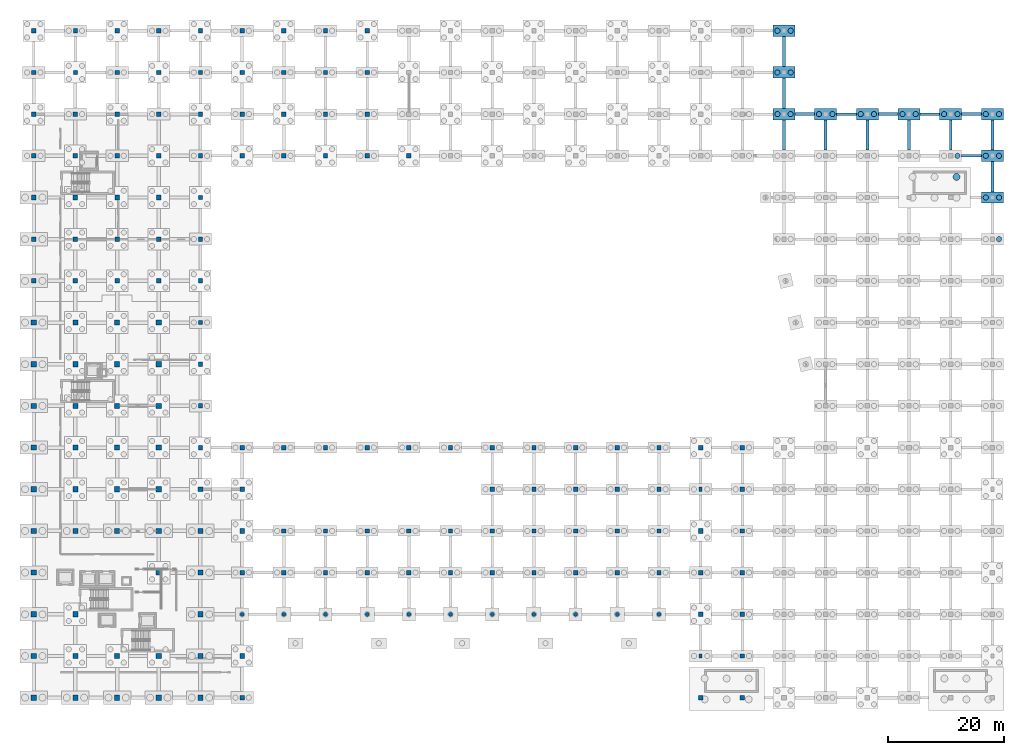
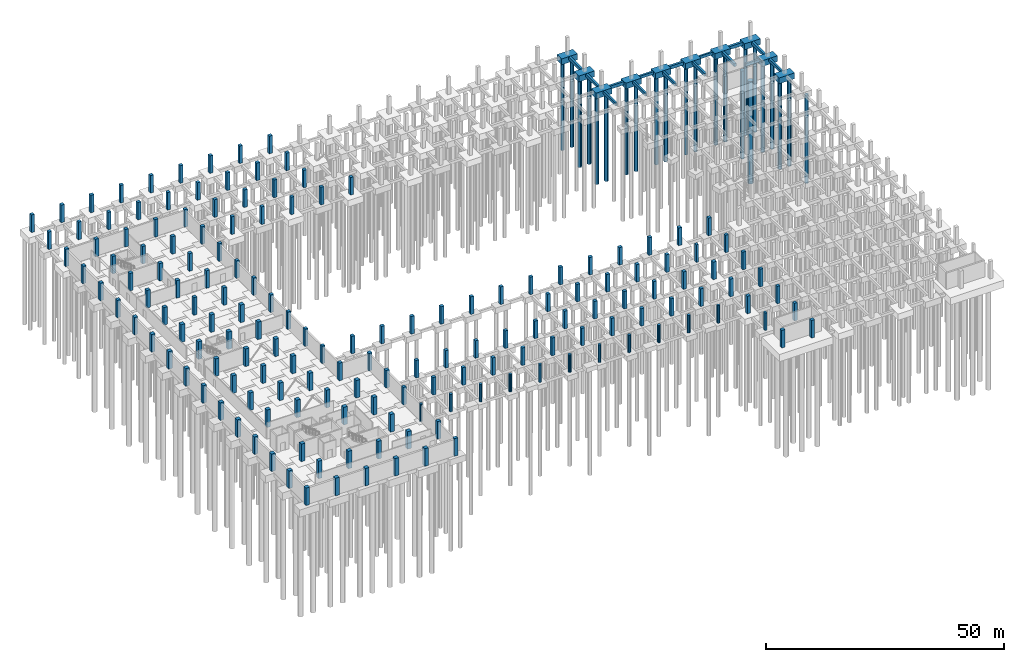
# One storey, part 14 of 36: 164 columns, 25 footings, 23 piles.
"""IFC4 building model written with IfcOpenShell, lengths in metres."""

from ifc_helpers import new_model, si_unit, direction, frame, origin, origin_2d, place, context, subcontext, project, spatial, rectangle, circle, extrude, material, material_profile, profile_set, type_object, element, save


model = new_model("IFC4")

# Units and contexts
model_context = context("Model", 3, precision=1e-05, world=origin(), true_north=direction((0.0, 1.0)))
body_context = subcontext(model_context, "Body", "Model", "MODEL_VIEW")
ifc_project = project(units=[si_unit("LENGTHUNIT", "METRE"), si_unit("AREAUNIT", "SQUARE_METRE"), si_unit("VOLUMEUNIT", "CUBIC_METRE"), si_unit("PLANEANGLEUNIT", "RADIAN"), si_unit("MASSUNIT", "GRAM", prefix="KILO")], contexts=[model_context])

# Site, building, storey
site_placement = place(None, origin())
site = spatial("IfcSite", under=ifc_project, at=site_placement, CompositionType="ELEMENT")
building_placement = place(site_placement, origin())
building = spatial("IfcBuilding", under=site, at=building_placement, Name="Kalmorath City Hall", CompositionType="ELEMENT")
storey_placement = place(building_placement, frame((0.0, 0.0, -4.5)))
storey = spatial("IfcBuildingStorey", under=building, at=storey_placement, Name="B1", CompositionType="ELEMENT", Elevation=-4.5)

# Piles
ifc_material_1 = material(Name="Concrete C40/50", Category="concrete")
ifc_material_profile_1 = material_profile(ifc_material_1, circle(Radius=0.60009765625, at=origin_2d()), Name="PILE-D1200")
ifc_profile_set_1 = profile_set([ifc_material_profile_1], Name="Concrete C40/50")
pile_type_1 = type_object("IfcPileType", Name="Bored concrete pile D1200", PredefinedType="BORED", material=ifc_profile_set_1)
pile_placement = place(storey_placement, frame((159.39990234375, 89.949951171875, -1.75), z_axis=(0.0, 0.0, -1.0), x_axis=(1.0, 0.0, 0.0)))
element("IfcPile", 1, at=pile_placement, inside=storey, type_object=pile_type_1, Name="Core mat bored pile PL-1200 FTG-CMAT-C6.6", PredefinedType="BORED", context=body_context, shape_type="SweptSolid", body=[
    extrude(circle(Radius=0.60009765625, at=origin_2d()), origin(), (0.0, 0.0, 1.0), 26.25),
])
ifc_material_2 = material(Name="Concrete C40/50", Category="concrete")
ifc_material_profile_2 = material_profile(ifc_material_2, circle(Radius=0.449951171875, at=origin_2d()), Name="PILE-D900")
ifc_profile_set_2 = profile_set([ifc_material_profile_2], Name="Concrete C40/50")
pile_type_2 = type_object("IfcPileType", Name="Bored concrete pile D900", PredefinedType="BORED", material=ifc_profile_set_2)
for number, where, z_axis, x_axis, name in (
    (2, (128.449951171875, 100.800048828125, -1.39990234375), (0.0, 0.0, -1.0), (1.0, 0.0, 0.0), "Bored pile PL-900 19.15.1"),
    (3, (130.75, 100.800048828125, -1.39990234375), (0.0, 0.0, -1.0), (1.0, 0.0, 0.0), "Bored pile PL-900 19.15.2"),
    (4, (128.449951171875, 108.0, -1.39990234375), (0.0, 0.0, -1.0), (1.0, 0.0, 0.0), "Bored pile PL-900 19.16.1"),
    (5, (130.75, 108.0, -1.39990234375), (0.0, 0.0, -1.0), (1.0, 0.0, 0.0), "Bored pile PL-900 19.16.2"),
    (6, (128.449951171875, 115.199951171875, -1.39990234375), (0.0, 0.0, -1.0), (1.0, 0.0, 0.0), "Bored pile PL-900 19.17.1"),
    (7, (130.75, 115.199951171875, -1.39990234375), (0.0, 0.0, -1.0), (1.0, 0.0, 0.0), "Bored pile PL-900 19.17.2"),
    (8, (135.64990234375, 100.800048828125, -1.39990234375), (0.0, 0.0, -1.0), (1.0, 0.0, 0.0), "Bored pile PL-900 20.15.1"),
    (9, (137.949951171875, 100.800048828125, -1.39990234375), (0.0, 0.0, -1.0), (1.0, 0.0, 0.0), "Bored pile PL-900 20.15.2"),
    (10, (142.85009765625, 100.800048828125, -1.39990234375), (0.0, 0.0, -1.0), (1.0, 0.0, 0.0), "Bored pile PL-900 21.15.1"),
    (11, (145.14990234375, 100.800048828125, -1.39990234375), (0.0, 0.0, -1.0), (1.0, 0.0, 0.0), "Bored pile PL-900 21.15.2"),
    (12, (150.050048828125, 100.800048828125, -1.39990234375), (0.0, 0.0, -1.0), (1.0, 0.0, 0.0), "Bored pile PL-900 22.15.1"),
    (13, (152.35009765625, 100.800048828125, -1.39990234375), (0.0, 0.0, -1.0), (1.0, 0.0, 0.0), "Bored pile PL-900 22.15.2"),
    (14, (159.550048828125, 93.60009765625, -1.39990234375), (0.0, 0.0, -1.0), (1.0, 0.0, 0.0), "Bored pile PL-900 23.14.2"),
    (15, (157.25, 100.800048828125, -1.39990234375), (0.0, 0.0, -1.0), (1.0, 0.0, 0.0), "Bored pile PL-900 23.15.1"),
    (16, (159.550048828125, 100.800048828125, -1.39990234375), (0.0, 0.0, -1.0), (1.0, 0.0, 0.0), "Bored pile PL-900 23.15.2"),
    (17, (166.75, 79.199951171875, -1.39990234375), (0.0, 0.0, -1.0), (1.0, 0.0, 0.0), "Bored pile PL-900 24.12.2"),
    (18, (164.449951171875, 86.39990234375, -1.39990234375), (0.0, 0.0, -1.0), (1.0, 0.0, 0.0), "Bored pile PL-900 24.13.1"),
    (19, (166.75, 86.39990234375, -1.39990234375), (0.0, 0.0, -1.0), (1.0, 0.0, 0.0), "Bored pile PL-900 24.13.2"),
    (20, (164.449951171875, 93.60009765625, -1.39990234375), (0.0, 0.0, -1.0), (1.0, 0.0, 0.0), "Bored pile PL-900 24.14.1"),
    (21, (166.75, 93.60009765625, -1.39990234375), (0.0, 0.0, -1.0), (1.0, 0.0, 0.0), "Bored pile PL-900 24.14.2"),
    (22, (164.449951171875, 100.800048828125, -1.39990234375), (0.0, 0.0, -1.0), (1.0, 0.0, 0.0), "Bored pile PL-900 24.15.1"),
    (23, (166.75, 100.800048828125, -1.39990234375), (0.0, 0.0, -1.0), (1.0, 0.0, 0.0), "Bored pile PL-900 24.15.2"),
):
    element("IfcPile", number, at=place(storey_placement, frame(where, z_axis=z_axis, x_axis=x_axis)), inside=storey, type_object=pile_type_2, Name=name, PredefinedType="BORED", context=body_context, shape_type="SweptSolid", body=[
        extrude(circle(Radius=0.449951171875, at=origin_2d()), origin(), (0.0, 0.0, 1.0), 22.60009765625),
    ])

# Footings
ifc_material_3 = material(Name="Concrete C40/50", Category="concrete")
ifc_material_profile_3 = material_profile(ifc_material_3, rectangle(XDim=0.449951171875, YDim=0.699951171875, at=origin_2d()), Name="RC-BM-450X700")
ifc_profile_set_3 = profile_set([ifc_material_profile_3], Name="Concrete C40/50")
footing_type_1 = type_object("IfcFootingType", Name="Concrete ground tie beam 450x700", PredefinedType="FOOTING_BEAM", material=ifc_profile_set_3)
footing_1_placement = place(storey_placement, frame((138.699951171875, 100.800048828125, -0.35009765625), z_axis=(1.0, 0.0, 0.0), x_axis=(0.0, 1.0, 0.0)))
element("IfcFooting", 24, at=footing_1_placement, inside=storey, type_object=footing_type_1, Name="Ground tie beam GB4 X20-15", PredefinedType="FOOTING_BEAM", context=body_context, shape_type="SweptSolid", body=[
    extrude(rectangle(XDim=0.449951171875, YDim=0.699951171875, at=origin_2d()), origin(), (0.0, 0.0, 1.0), 3.400146484375),
])
for number, where, z_axis, x_axis, name in (
    (25, (153.10009765625, 100.800048828125, -0.35009765625), (1.0, 0.0, 0.0), (0.0, 1.0, 0.0), "Ground tie beam GB4 X22-15"),
    (26, (160.300048828125, 93.60009765625, -0.35009765625), (1.0, 0.0, 0.0), (0.0, 1.0, 0.0), "Ground tie beam GB4 X23-14"),
):
    element("IfcFooting", number, at=place(storey_placement, frame(where, z_axis=z_axis, x_axis=x_axis)), inside=storey, type_object=footing_type_1, Name=name, PredefinedType="FOOTING_BEAM", context=body_context, shape_type="SweptSolid", body=[
        extrude(rectangle(XDim=0.449951171875, YDim=0.699951171875, at=origin_2d()), origin(), (0.0, 0.0, 1.0), 3.39990234375),
    ])
ifc_material_4 = material(Name="Concrete C40/50", Category="concrete")
ifc_material_profile_4 = material_profile(ifc_material_4, rectangle(XDim=0.5, YDim=0.75, at=origin_2d()), Name="RC-BM-500X750")
ifc_profile_set_4 = profile_set([ifc_material_profile_4], Name="Concrete C40/50")
footing_type_2 = type_object("IfcFootingType", Name="Concrete ground tie beam 500x750", PredefinedType="FOOTING_BEAM", material=ifc_profile_set_4)
for number, where, z_axis, x_axis, name in (
    (27, (129.60009765625, 94.590087890625, -0.375), (0.0, 1.0, 0.0), (-1.0, 0.0, 0.0), "Ground tie beam GB3 Y19-14"),
    (28, (129.60009765625, 101.7900390625, -0.375), (0.0, 1.0, 0.0), (-1.0, 0.0, 0.0), "Ground tie beam GB3 Y19-15"),
    (29, (129.60009765625, 108.989990234375, -0.375), (0.0, 1.0, 0.0), (-1.0, 0.0, 0.0), "Ground tie beam GB3 Y19-16"),
    (30, (136.800048828125, 94.590087890625, -0.375), (0.0, 1.0, 0.0), (-1.0, 0.0, 0.0), "Ground tie beam GB3 Y20-14"),
    (31, (144.0, 94.590087890625, -0.375), (0.0, 1.0, 0.0), (-1.0, 0.0, 0.0), "Ground tie beam GB3 Y21-14"),
    (32, (151.199951171875, 94.590087890625, -0.375), (0.0, 1.0, 0.0), (-1.0, 0.0, 0.0), "Ground tie beam GB3 Y22-14"),
    (33, (158.39990234375, 94.590087890625, -0.375), (0.0, 1.0, 0.0), (-1.0, 0.0, 0.0), "Ground tie beam GB3 Y23-14"),
):
    element("IfcFooting", number, at=place(storey_placement, frame(where, z_axis=z_axis, x_axis=x_axis)), inside=storey, type_object=footing_type_2, Name=name, PredefinedType="FOOTING_BEAM", context=body_context, shape_type="SweptSolid", body=[
        extrude(rectangle(XDim=0.5, YDim=0.75, at=origin_2d()), origin(), (0.0, 0.0, 1.0), 5.219970703125),
    ])
footing_2_placement = place(storey_placement, frame((165.60009765625, 87.389892578125, -0.375), z_axis=(0.0, 1.0, 0.0), x_axis=(-1.0, 0.0, 0.0)))
element("IfcFooting", 34, at=footing_2_placement, inside=storey, type_object=footing_type_2, Name="Ground tie beam GB3 Y24-13", PredefinedType="FOOTING_BEAM", context=body_context, shape_type="SweptSolid", body=[
    extrude(rectangle(XDim=0.5, YDim=0.75, at=origin_2d()), origin(), (0.0, 0.0, 1.0), 5.22021484375),
])
footing_3_placement = place(storey_placement, frame((165.60009765625, 94.590087890625, -0.375), z_axis=(0.0, 1.0, 0.0), x_axis=(-1.0, 0.0, 0.0)))
element("IfcFooting", 35, at=footing_3_placement, inside=storey, type_object=footing_type_2, Name="Ground tie beam GB3 Y24-14", PredefinedType="FOOTING_BEAM", context=body_context, shape_type="SweptSolid", body=[
    extrude(rectangle(XDim=0.5, YDim=0.75, at=origin_2d()), origin(), (0.0, 0.0, 1.0), 5.219970703125),
])
ifc_material_5 = material(Name="Concrete C40/50", Category="concrete")
ifc_material_profile_5 = material_profile(ifc_material_5, rectangle(XDim=0.550048828125, YDim=0.800048828125, at=origin_2d()), Name="RC-BM-550X800")
ifc_profile_set_5 = profile_set([ifc_material_profile_5], Name="Concrete C40/50")
footing_type_3 = type_object("IfcFootingType", Name="Concrete ground tie beam 550x800", PredefinedType="FOOTING_BEAM", material=ifc_profile_set_5)
footing_4_placement = place(storey_placement, frame((131.5, 100.800048828125, -0.39990234375), z_axis=(1.0, 0.0, 0.0), x_axis=(0.0, 1.0, 0.0)))
element("IfcFooting", 36, at=footing_4_placement, inside=storey, type_object=footing_type_3, Name="Ground tie beam GB2 X19-15", PredefinedType="FOOTING_BEAM", context=body_context, shape_type="SweptSolid", body=[
    extrude(rectangle(XDim=0.550048828125, YDim=0.800048828125, at=origin_2d()), origin(), (0.0, 0.0, 1.0), 3.39990234375),
])
footing_5_placement = place(storey_placement, frame((145.89990234375, 100.800048828125, -0.39990234375), z_axis=(1.0, 0.0, 0.0), x_axis=(0.0, 1.0, 0.0)))
element("IfcFooting", 37, at=footing_5_placement, inside=storey, type_object=footing_type_3, Name="Ground tie beam GB2 X21-15", PredefinedType="FOOTING_BEAM", context=body_context, shape_type="SweptSolid", body=[
    extrude(rectangle(XDim=0.550048828125, YDim=0.800048828125, at=origin_2d()), origin(), (0.0, 0.0, 1.0), 3.400146484375),
])
footing_6_placement = place(storey_placement, frame((160.300048828125, 100.800048828125, -0.39990234375), z_axis=(1.0, 0.0, 0.0), x_axis=(0.0, 1.0, 0.0)))
element("IfcFooting", 38, at=footing_6_placement, inside=storey, type_object=footing_type_3, Name="Ground tie beam GB2 X23-15", PredefinedType="FOOTING_BEAM", context=body_context, shape_type="SweptSolid", body=[
    extrude(rectangle(XDim=0.550048828125, YDim=0.800048828125, at=origin_2d()), origin(), (0.0, 0.0, 1.0), 3.39990234375),
])
ifc_material_6 = material(Name="Concrete C40/50", Category="concrete")
footing_type_4 = type_object("IfcFootingType", Name="Two-pile concrete cap 3800x1980x1500", PredefinedType="PILE_CAP", material=ifc_material_6)
for number, where, z_axis, x_axis, name in (
    (39, (129.60009765625, 100.800048828125, -1.5), (0.0, 0.0, 1.0), (1.0, 0.0, 0.0), "Footing PC7 (19/15)"),
    (40, (129.60009765625, 108.0, -1.5), (0.0, 0.0, 1.0), (1.0, 0.0, 0.0), "Footing PC7 (19/16)"),
    (41, (129.60009765625, 115.199951171875, -1.5), (0.0, 0.0, 1.0), (1.0, 0.0, 0.0), "Footing PC7 (19/17)"),
    (42, (136.800048828125, 100.800048828125, -1.5), (0.0, 0.0, 1.0), (1.0, 0.0, 0.0), "Footing PC7 (20/15)"),
    (43, (144.0, 100.800048828125, -1.5), (0.0, 0.0, 1.0), (1.0, 0.0, 0.0), "Footing PC7 (21/15)"),
    (44, (151.199951171875, 100.800048828125, -1.5), (0.0, 0.0, 1.0), (1.0, 0.0, 0.0), "Footing PC7 (22/15)"),
    (45, (158.39990234375, 100.800048828125, -1.5), (0.0, 0.0, 1.0), (1.0, 0.0, 0.0), "Footing PC7 (23/15)"),
    (46, (165.60009765625, 86.39990234375, -1.5), (0.0, 0.0, 1.0), (1.0, 0.0, 0.0), "Footing PC7 (24/13)"),
    (47, (165.60009765625, 93.60009765625, -1.5), (0.0, 0.0, 1.0), (1.0, 0.0, 0.0), "Footing PC7 (24/14)"),
    (48, (165.60009765625, 100.800048828125, -1.5), (0.0, 0.0, 1.0), (1.0, 0.0, 0.0), "Footing PC7 (24/15)"),
):
    element("IfcFooting", number, at=place(storey_placement, frame(where, z_axis=z_axis, x_axis=x_axis)), inside=storey, type_object=footing_type_4, Name=name, PredefinedType="PILE_CAP", context=body_context, shape_type="SweptSolid", body=[
        extrude(rectangle(XDim=3.800048828125, YDim=1.97998046875, at=origin_2d()), origin(), (0.0, 0.0, 1.0), 1.5),
    ])

# Columns
ifc_material_7 = material(Name="Concrete C50/60", Category="concrete")
ifc_material_profile_6 = material_profile(ifc_material_7, circle(Radius=0.35009765625, at=origin_2d()), Name="RC-COL-D700")
ifc_profile_set_6 = profile_set([ifc_material_profile_6], Name="Concrete C50/60")
column_type_1 = type_object("IfcColumnType", Name="Circular arcade concrete column D700", PredefinedType="COLUMN", material=ifc_profile_set_6)
for number, where, z_axis, x_axis, name in (
    (49, (36.0, 14.39990234375, 0.0), (0.0, 0.0, 1.0), (1.0, 0.0, 0.0), "B1 column C8 (6/3)"),
    (50, (43.199951171875, 14.39990234375, 0.0), (0.0, 0.0, 1.0), (1.0, 0.0, 0.0), "B1 column C8 (7/3)"),
    (51, (50.39990234375, 14.39990234375, 0.0), (0.0, 0.0, 1.0), (1.0, 0.0, 0.0), "B1 column C8 (8/3)"),
    (52, (57.60009765625, 14.39990234375, 0.0), (0.0, 0.0, 1.0), (1.0, 0.0, 0.0), "B1 column C8 (9/3)"),
    (53, (64.800048828125, 14.39990234375, 0.0), (0.0, 0.0, 1.0), (1.0, 0.0, 0.0), "B1 column C8 (10/3)"),
    (54, (72.0, 14.39990234375, 0.0), (0.0, 0.0, 1.0), (1.0, 0.0, 0.0), "B1 column C8 (11/3)"),
    (55, (79.199951171875, 14.39990234375, 0.0), (0.0, 0.0, 1.0), (1.0, 0.0, 0.0), "B1 column C8 (12/3)"),
    (56, (86.39990234375, 14.39990234375, 0.0), (0.0, 0.0, 1.0), (1.0, 0.0, 0.0), "B1 column C8 (13/3)"),
    (57, (93.60009765625, 14.39990234375, 0.0), (0.0, 0.0, 1.0), (1.0, 0.0, 0.0), "B1 column C8 (14/3)"),
    (58, (100.800048828125, 14.39990234375, 0.0), (0.0, 0.0, 1.0), (1.0, 0.0, 0.0), "B1 column C8 (15/3)"),
    (59, (108.0, 14.39990234375, 0.0), (0.0, 0.0, 1.0), (1.0, 0.0, 0.0), "B1 column C8 (16/3)"),
):
    element("IfcColumn", number, at=place(storey_placement, frame(where, z_axis=z_axis, x_axis=x_axis)), inside=storey, type_object=column_type_1, Name=name, PredefinedType="COLUMN", context=body_context, shape_type="SweptSolid", body=[
        extrude(circle(Radius=0.35009765625, at=origin_2d()), origin(), (0.0, 0.0, 1.0), 4.5),
    ])
ifc_material_8 = material(Name="Concrete C50/60", Category="concrete")
ifc_material_profile_7 = material_profile(ifc_material_8, rectangle(XDim=0.5, YDim=0.75, at=origin_2d()), Name="RC-PIL-500X750")
ifc_profile_set_7 = profile_set([ifc_material_profile_7], Name="Concrete C50/60")
column_type_2 = type_object("IfcColumnType", Name="Concrete acoustic wall pilaster 500x750", PredefinedType="PILASTER", material=ifc_profile_set_7)
for number, where, z_axis, x_axis, name in (
    (60, (115.199951171875, 7.199951171875, 0.0), (0.0, 0.0, 1.0), (1.0, 0.0, 0.0), "B1 column CP1 (17/2)"),
    (61, (115.199951171875, 36.0, 0.0), (0.0, 0.0, 1.0), (1.0, 0.0, 0.0), "B1 column CP1 (17/6)"),
):
    element("IfcColumn", number, at=place(storey_placement, frame(where, z_axis=z_axis, x_axis=x_axis)), inside=storey, type_object=column_type_2, Name=name, PredefinedType="PILASTER", context=body_context, shape_type="SweptSolid", body=[
        extrude(rectangle(XDim=0.5, YDim=0.75, at=origin_2d()), origin(), (0.0, 0.0, 1.0), 4.5),
    ])
ifc_material_9 = material(Name="Concrete C50/60", Category="concrete")
ifc_material_profile_8 = material_profile(ifc_material_9, rectangle(XDim=0.75, YDim=0.75, at=origin_2d()), Name="RC-COL-750X750")
ifc_profile_set_8 = profile_set([ifc_material_profile_8], Name="Concrete C50/60")
column_type_3 = type_object("IfcColumnType", Name="Concrete column 750x750", PredefinedType="COLUMN", material=ifc_profile_set_8)
for number, where, z_axis, x_axis, name in (
    (62, (0.0, 108.0, 0.0), (0.0, 0.0, 1.0), (1.0, 0.0, 0.0), "B1 column C3 (1/16)"),
    (63, (0.0, 115.199951171875, 0.0), (0.0, 0.0, 1.0), (1.0, 0.0, 0.0), "B1 column C3 (1/17)"),
    (64, (7.199951171875, 108.0, 0.0), (0.0, 0.0, 1.0), (1.0, 0.0, 0.0), "B1 column C3 (2/16)"),
    (65, (7.199951171875, 115.199951171875, 0.0), (0.0, 0.0, 1.0), (1.0, 0.0, 0.0), "B1 column C3 (2/17)"),
    (66, (14.39990234375, 108.0, 0.0), (0.0, 0.0, 1.0), (1.0, 0.0, 0.0), "B1 column C3 (3/16)"),
    (67, (14.39990234375, 115.199951171875, 0.0), (0.0, 0.0, 1.0), (1.0, 0.0, 0.0), "B1 column C3 (3/17)"),
    (68, (21.60009765625, 108.0, 0.0), (0.0, 0.0, 1.0), (1.0, 0.0, 0.0), "B1 column C3 (4/16)"),
    (69, (21.60009765625, 115.199951171875, 0.0), (0.0, 0.0, 1.0), (1.0, 0.0, 0.0), "B1 column C3 (4/17)"),
    (70, (28.800048828125, 43.199951171875, 0.0), (0.0, 0.0, 1.0), (1.0, 0.0, 0.0), "B1 column C3 (5/7)"),
    (71, (28.800048828125, 50.39990234375, 0.0), (0.0, 0.0, 1.0), (1.0, 0.0, 0.0), "B1 column C3 (5/8)"),
    (72, (28.800048828125, 57.60009765625, 0.0), (0.0, 0.0, 1.0), (1.0, 0.0, 0.0), "B1 column C3 (5/9)"),
    (73, (28.800048828125, 64.800048828125, 0.0), (0.0, 0.0, 1.0), (1.0, 0.0, 0.0), "B1 column C3 (5/10)"),
    (74, (28.800048828125, 72.0, 0.0), (0.0, 0.0, 1.0), (1.0, 0.0, 0.0), "B1 column C3 (5/11)"),
    (75, (28.800048828125, 79.199951171875, 0.0), (0.0, 0.0, 1.0), (1.0, 0.0, 0.0), "B1 column C3 (5/12)"),
    (76, (28.800048828125, 86.39990234375, 0.0), (0.0, 0.0, 1.0), (1.0, 0.0, 0.0), "B1 column C3 (5/13)"),
    (77, (28.800048828125, 93.60009765625, 0.0), (0.0, 0.0, 1.0), (1.0, 0.0, 0.0), "B1 column C3 (5/14)"),
    (78, (28.800048828125, 100.800048828125, 0.0), (0.0, 0.0, 1.0), (1.0, 0.0, 0.0), "B1 column C3 (5/15)"),
    (79, (28.800048828125, 108.0, 0.0), (0.0, 0.0, 1.0), (1.0, 0.0, 0.0), "B1 column C3 (5/16)"),
    (80, (28.800048828125, 115.199951171875, 0.0), (0.0, 0.0, 1.0), (1.0, 0.0, 0.0), "B1 column C3 (5/17)"),
    (81, (36.0, 0.0, 0.0), (0.0, 0.0, 1.0), (1.0, 0.0, 0.0), "B1 column C3 (6/1)"),
    (82, (36.0, 21.60009765625, 0.0), (0.0, 0.0, 1.0), (1.0, 0.0, 0.0), "B1 column C3 (6/4)"),
    (83, (36.0, 43.199951171875, 0.0), (0.0, 0.0, 1.0), (1.0, 0.0, 0.0), "B1 column C3 (6/7)"),
    (84, (36.0, 93.60009765625, 0.0), (0.0, 0.0, 1.0), (1.0, 0.0, 0.0), "B1 column C3 (6/14)"),
    (85, (36.0, 100.800048828125, 0.0), (0.0, 0.0, 1.0), (1.0, 0.0, 0.0), "B1 column C3 (6/15)"),
    (86, (36.0, 108.0, 0.0), (0.0, 0.0, 1.0), (1.0, 0.0, 0.0), "B1 column C3 (6/16)"),
    (87, (36.0, 115.199951171875, 0.0), (0.0, 0.0, 1.0), (1.0, 0.0, 0.0), "B1 column C3 (6/17)"),
    (88, (43.199951171875, 21.60009765625, 0.0), (0.0, 0.0, 1.0), (1.0, 0.0, 0.0), "B1 column C3 (7/4)"),
    (89, (43.199951171875, 28.800048828125, 0.0), (0.0, 0.0, 1.0), (1.0, 0.0, 0.0), "B1 column C3 (7/5)"),
    (90, (43.199951171875, 43.199951171875, 0.0), (0.0, 0.0, 1.0), (1.0, 0.0, 0.0), "B1 column C3 (7/7)"),
    (91, (43.199951171875, 93.60009765625, 0.0), (0.0, 0.0, 1.0), (1.0, 0.0, 0.0), "B1 column C3 (7/14)"),
    (92, (43.199951171875, 100.800048828125, 0.0), (0.0, 0.0, 1.0), (1.0, 0.0, 0.0), "B1 column C3 (7/15)"),
    (93, (43.199951171875, 108.0, 0.0), (0.0, 0.0, 1.0), (1.0, 0.0, 0.0), "B1 column C3 (7/16)"),
    (94, (43.199951171875, 115.199951171875, 0.0), (0.0, 0.0, 1.0), (1.0, 0.0, 0.0), "B1 column C3 (7/17)"),
    (95, (50.39990234375, 21.60009765625, 0.0), (0.0, 0.0, 1.0), (1.0, 0.0, 0.0), "B1 column C3 (8/4)"),
    (96, (50.39990234375, 28.800048828125, 0.0), (0.0, 0.0, 1.0), (1.0, 0.0, 0.0), "B1 column C3 (8/5)"),
    (97, (50.39990234375, 43.199951171875, 0.0), (0.0, 0.0, 1.0), (1.0, 0.0, 0.0), "B1 column C3 (8/7)"),
    (98, (50.39990234375, 93.60009765625, 0.0), (0.0, 0.0, 1.0), (1.0, 0.0, 0.0), "B1 column C3 (8/14)"),
    (99, (50.39990234375, 100.800048828125, 0.0), (0.0, 0.0, 1.0), (1.0, 0.0, 0.0), "B1 column C3 (8/15)"),
    (100, (50.39990234375, 108.0, 0.0), (0.0, 0.0, 1.0), (1.0, 0.0, 0.0), "B1 column C3 (8/16)"),
    (101, (50.39990234375, 115.199951171875, 0.0), (0.0, 0.0, 1.0), (1.0, 0.0, 0.0), "B1 column C3 (8/17)"),
    (102, (57.60009765625, 21.60009765625, 0.0), (0.0, 0.0, 1.0), (1.0, 0.0, 0.0), "B1 column C3 (9/4)"),
    (103, (57.60009765625, 28.800048828125, 0.0), (0.0, 0.0, 1.0), (1.0, 0.0, 0.0), "B1 column C3 (9/5)"),
    (104, (57.60009765625, 43.199951171875, 0.0), (0.0, 0.0, 1.0), (1.0, 0.0, 0.0), "B1 column C3 (9/7)"),
    (105, (57.60009765625, 93.60009765625, 0.0), (0.0, 0.0, 1.0), (1.0, 0.0, 0.0), "B1 column C3 (9/14)"),
    (106, (57.60009765625, 100.800048828125, 0.0), (0.0, 0.0, 1.0), (1.0, 0.0, 0.0), "B1 column C3 (9/15)"),
    (107, (57.60009765625, 108.0, 0.0), (0.0, 0.0, 1.0), (1.0, 0.0, 0.0), "B1 column C3 (9/16)"),
    (108, (57.60009765625, 115.199951171875, 0.0), (0.0, 0.0, 1.0), (1.0, 0.0, 0.0), "B1 column C3 (9/17)"),
    (109, (64.800048828125, 21.60009765625, 0.0), (0.0, 0.0, 1.0), (1.0, 0.0, 0.0), "B1 column C3 (10/4)"),
    (110, (64.800048828125, 28.800048828125, 0.0), (0.0, 0.0, 1.0), (1.0, 0.0, 0.0), "B1 column C3 (10/5)"),
    (111, (64.800048828125, 43.199951171875, 0.0), (0.0, 0.0, 1.0), (1.0, 0.0, 0.0), "B1 column C3 (10/7)"),
    (112, (64.800048828125, 93.60009765625, 0.0), (0.0, 0.0, 1.0), (1.0, 0.0, 0.0), "B1 column C3 (10/14)"),
    (113, (72.0, 21.60009765625, 0.0), (0.0, 0.0, 1.0), (1.0, 0.0, 0.0), "B1 column C3 (11/4)"),
    (114, (72.0, 28.800048828125, 0.0), (0.0, 0.0, 1.0), (1.0, 0.0, 0.0), "B1 column C3 (11/5)"),
    (115, (72.0, 43.199951171875, 0.0), (0.0, 0.0, 1.0), (1.0, 0.0, 0.0), "B1 column C3 (11/7)"),
    (116, (79.199951171875, 21.60009765625, 0.0), (0.0, 0.0, 1.0), (1.0, 0.0, 0.0), "B1 column C3 (12/4)"),
    (117, (79.199951171875, 28.800048828125, 0.0), (0.0, 0.0, 1.0), (1.0, 0.0, 0.0), "B1 column C3 (12/5)"),
    (118, (79.199951171875, 36.0, 0.0), (0.0, 0.0, 1.0), (1.0, 0.0, 0.0), "B1 column C3 (12/6)"),
    (119, (79.199951171875, 43.199951171875, 0.0), (0.0, 0.0, 1.0), (1.0, 0.0, 0.0), "B1 column C3 (12/7)"),
    (120, (86.39990234375, 21.60009765625, 0.0), (0.0, 0.0, 1.0), (1.0, 0.0, 0.0), "B1 column C3 (13/4)"),
    (121, (86.39990234375, 28.800048828125, 0.0), (0.0, 0.0, 1.0), (1.0, 0.0, 0.0), "B1 column C3 (13/5)"),
    (122, (86.39990234375, 36.0, 0.0), (0.0, 0.0, 1.0), (1.0, 0.0, 0.0), "B1 column C3 (13/6)"),
    (123, (86.39990234375, 43.199951171875, 0.0), (0.0, 0.0, 1.0), (1.0, 0.0, 0.0), "B1 column C3 (13/7)"),
    (124, (93.60009765625, 21.60009765625, 0.0), (0.0, 0.0, 1.0), (1.0, 0.0, 0.0), "B1 column C3 (14/4)"),
    (125, (93.60009765625, 28.800048828125, 0.0), (0.0, 0.0, 1.0), (1.0, 0.0, 0.0), "B1 column C3 (14/5)"),
    (126, (93.60009765625, 36.0, 0.0), (0.0, 0.0, 1.0), (1.0, 0.0, 0.0), "B1 column C3 (14/6)"),
    (127, (93.60009765625, 43.199951171875, 0.0), (0.0, 0.0, 1.0), (1.0, 0.0, 0.0), "B1 column C3 (14/7)"),
    (128, (100.800048828125, 21.60009765625, 0.0), (0.0, 0.0, 1.0), (1.0, 0.0, 0.0), "B1 column C3 (15/4)"),
    (129, (100.800048828125, 28.800048828125, 0.0), (0.0, 0.0, 1.0), (1.0, 0.0, 0.0), "B1 column C3 (15/5)"),
    (130, (100.800048828125, 36.0, 0.0), (0.0, 0.0, 1.0), (1.0, 0.0, 0.0), "B1 column C3 (15/6)"),
    (131, (100.800048828125, 43.199951171875, 0.0), (0.0, 0.0, 1.0), (1.0, 0.0, 0.0), "B1 column C3 (15/7)"),
    (132, (108.0, 21.60009765625, 0.0), (0.0, 0.0, 1.0), (1.0, 0.0, 0.0), "B1 column C3 (16/4)"),
    (133, (108.0, 28.800048828125, 0.0), (0.0, 0.0, 1.0), (1.0, 0.0, 0.0), "B1 column C3 (16/5)"),
    (134, (108.0, 36.0, 0.0), (0.0, 0.0, 1.0), (1.0, 0.0, 0.0), "B1 column C3 (16/6)"),
    (135, (108.0, 43.199951171875, 0.0), (0.0, 0.0, 1.0), (1.0, 0.0, 0.0), "B1 column C3 (16/7)"),
    (136, (122.39990234375, 7.199951171875, 0.0), (0.0, 0.0, 1.0), (1.0, 0.0, 0.0), "B1 column C3 (18/2)"),
    (137, (122.39990234375, 14.39990234375, 0.0), (0.0, 0.0, 1.0), (1.0, 0.0, 0.0), "B1 column C3 (18/3)"),
    (138, (122.39990234375, 21.60009765625, 0.0), (0.0, 0.0, 1.0), (1.0, 0.0, 0.0), "B1 column C3 (18/4)"),
    (139, (122.39990234375, 28.800048828125, 0.0), (0.0, 0.0, 1.0), (1.0, 0.0, 0.0), "B1 column C3 (18/5)"),
    (140, (122.39990234375, 36.0, 0.0), (0.0, 0.0, 1.0), (1.0, 0.0, 0.0), "B1 column C3 (18/6)"),
):
    element("IfcColumn", number, at=place(storey_placement, frame(where, z_axis=z_axis, x_axis=x_axis)), inside=storey, type_object=column_type_3, Name=name, PredefinedType="COLUMN", context=body_context, shape_type="SweptSolid", body=[
        extrude(rectangle(XDim=0.75, YDim=0.75, at=origin_2d()), origin(), (0.0, 0.0, 1.0), 4.5),
    ])
ifc_material_10 = material(Name="Concrete C50/60", Category="concrete")
ifc_material_profile_9 = material_profile(ifc_material_10, rectangle(XDim=0.800048828125, YDim=0.800048828125, at=origin_2d()), Name="RC-COL-800X800")
ifc_profile_set_9 = profile_set([ifc_material_profile_9], Name="Concrete C50/60")
column_type_4 = type_object("IfcColumnType", Name="Concrete column 800x800", PredefinedType="COLUMN", material=ifc_profile_set_9)
for number, where, z_axis, x_axis, name in (
    (141, (0.0, 72.0, 0.0), (0.0, 0.0, 1.0), (1.0, 0.0, 0.0), "B1 column C2 (1/11)"),
    (142, (0.0, 79.199951171875, 0.0), (0.0, 0.0, 1.0), (1.0, 0.0, 0.0), "B1 column C2 (1/12)"),
    (143, (0.0, 86.39990234375, 0.0), (0.0, 0.0, 1.0), (1.0, 0.0, 0.0), "B1 column C2 (1/13)"),
    (144, (0.0, 93.60009765625, 0.0), (0.0, 0.0, 1.0), (1.0, 0.0, 0.0), "B1 column C2 (1/14)"),
    (145, (0.0, 100.800048828125, 0.0), (0.0, 0.0, 1.0), (1.0, 0.0, 0.0), "B1 column C2 (1/15)"),
    (146, (7.199951171875, 72.0, 0.0), (0.0, 0.0, 1.0), (1.0, 0.0, 0.0), "B1 column C2 (2/11)"),
    (147, (7.199951171875, 79.199951171875, 0.0), (0.0, 0.0, 1.0), (1.0, 0.0, 0.0), "B1 column C2 (2/12)"),
    (148, (7.199951171875, 86.39990234375, 0.0), (0.0, 0.0, 1.0), (1.0, 0.0, 0.0), "B1 column C2 (2/13)"),
    (149, (7.199951171875, 93.60009765625, 0.0), (0.0, 0.0, 1.0), (1.0, 0.0, 0.0), "B1 column C2 (2/14)"),
    (150, (7.199951171875, 100.800048828125, 0.0), (0.0, 0.0, 1.0), (1.0, 0.0, 0.0), "B1 column C2 (2/15)"),
    (151, (14.39990234375, 72.0, 0.0), (0.0, 0.0, 1.0), (1.0, 0.0, 0.0), "B1 column C2 (3/11)"),
    (152, (14.39990234375, 79.199951171875, 0.0), (0.0, 0.0, 1.0), (1.0, 0.0, 0.0), "B1 column C2 (3/12)"),
    (153, (14.39990234375, 86.39990234375, 0.0), (0.0, 0.0, 1.0), (1.0, 0.0, 0.0), "B1 column C2 (3/13)"),
    (154, (14.39990234375, 93.60009765625, 0.0), (0.0, 0.0, 1.0), (1.0, 0.0, 0.0), "B1 column C2 (3/14)"),
    (155, (14.39990234375, 100.800048828125, 0.0), (0.0, 0.0, 1.0), (1.0, 0.0, 0.0), "B1 column C2 (3/15)"),
    (156, (21.60009765625, 72.0, 0.0), (0.0, 0.0, 1.0), (1.0, 0.0, 0.0), "B1 column C2 (4/11)"),
    (157, (21.60009765625, 79.199951171875, 0.0), (0.0, 0.0, 1.0), (1.0, 0.0, 0.0), "B1 column C2 (4/12)"),
    (158, (21.60009765625, 86.39990234375, 0.0), (0.0, 0.0, 1.0), (1.0, 0.0, 0.0), "B1 column C2 (4/13)"),
    (159, (21.60009765625, 93.60009765625, 0.0), (0.0, 0.0, 1.0), (1.0, 0.0, 0.0), "B1 column C2 (4/14)"),
    (160, (21.60009765625, 100.800048828125, 0.0), (0.0, 0.0, 1.0), (1.0, 0.0, 0.0), "B1 column C2 (4/15)"),
    (161, (28.800048828125, 36.0, 0.0), (0.0, 0.0, 1.0), (1.0, 0.0, 0.0), "B1 column C2 (5/6)"),
    (162, (36.0, 7.199951171875, 0.0), (0.0, 0.0, 1.0), (1.0, 0.0, 0.0), "B1 column C2 (6/2)"),
    (163, (36.0, 28.800048828125, 0.0), (0.0, 0.0, 1.0), (1.0, 0.0, 0.0), "B1 column C2 (6/5)"),
    (164, (36.0, 36.0, 0.0), (0.0, 0.0, 1.0), (1.0, 0.0, 0.0), "B1 column C2 (6/6)"),
    (165, (115.199951171875, 0.0, 0.0), (0.0, 0.0, 1.0), (1.0, 0.0, 0.0), "B1 column C2 (17/1)"),
    (166, (115.199951171875, 14.39990234375, 0.0), (0.0, 0.0, 1.0), (1.0, 0.0, 0.0), "B1 column C2 (17/3)"),
    (167, (115.199951171875, 21.60009765625, 0.0), (0.0, 0.0, 1.0), (1.0, 0.0, 0.0), "B1 column C2 (17/4)"),
    (168, (115.199951171875, 28.800048828125, 0.0), (0.0, 0.0, 1.0), (1.0, 0.0, 0.0), "B1 column C2 (17/5)"),
    (169, (115.199951171875, 43.199951171875, 0.0), (0.0, 0.0, 1.0), (1.0, 0.0, 0.0), "B1 column C2 (17/7)"),
    (170, (122.39990234375, 0.0, 0.0), (0.0, 0.0, 1.0), (1.0, 0.0, 0.0), "B1 column C2 (18/1)"),
    (171, (122.39990234375, 43.199951171875, 0.0), (0.0, 0.0, 1.0), (1.0, 0.0, 0.0), "B1 column C2 (18/7)"),
):
    element("IfcColumn", number, at=place(storey_placement, frame(where, z_axis=z_axis, x_axis=x_axis)), inside=storey, type_object=column_type_4, Name=name, PredefinedType="COLUMN", context=body_context, shape_type="SweptSolid", body=[
        extrude(rectangle(XDim=0.800048828125, YDim=0.800048828125, at=origin_2d()), origin(), (0.0, 0.0, 1.0), 4.5),
    ])
ifc_material_11 = material(Name="Concrete C50/60", Category="concrete")
ifc_material_profile_10 = material_profile(ifc_material_11, rectangle(XDim=0.89990234375, YDim=0.89990234375, at=origin_2d()), Name="RC-COL-900X900")
ifc_profile_set_10 = profile_set([ifc_material_profile_10], Name="Concrete C50/60")
column_type_5 = type_object("IfcColumnType", Name="Concrete column 900x900", PredefinedType="COLUMN", material=ifc_profile_set_10)
for number, where, z_axis, x_axis, name in (
    (172, (0.0, 0.0, 0.0), (0.0, 0.0, 1.0), (1.0, 0.0, 0.0), "B1 column C1 (1/1)"),
    (173, (0.0, 7.199951171875, 0.0), (0.0, 0.0, 1.0), (1.0, 0.0, 0.0), "B1 column C1 (1/2)"),
    (174, (0.0, 14.39990234375, 0.0), (0.0, 0.0, 1.0), (1.0, 0.0, 0.0), "B1 column C1 (1/3)"),
    (175, (0.0, 21.60009765625, 0.0), (0.0, 0.0, 1.0), (1.0, 0.0, 0.0), "B1 column C1 (1/4)"),
    (176, (0.0, 28.800048828125, 0.0), (0.0, 0.0, 1.0), (1.0, 0.0, 0.0), "B1 column C1 (1/5)"),
    (177, (0.0, 36.0, 0.0), (0.0, 0.0, 1.0), (1.0, 0.0, 0.0), "B1 column C1 (1/6)"),
    (178, (0.0, 43.199951171875, 0.0), (0.0, 0.0, 1.0), (1.0, 0.0, 0.0), "B1 column C1 (1/7)"),
    (179, (0.0, 50.39990234375, 0.0), (0.0, 0.0, 1.0), (1.0, 0.0, 0.0), "B1 column C1 (1/8)"),
    (180, (0.0, 57.60009765625, 0.0), (0.0, 0.0, 1.0), (1.0, 0.0, 0.0), "B1 column C1 (1/9)"),
    (181, (0.0, 64.800048828125, 0.0), (0.0, 0.0, 1.0), (1.0, 0.0, 0.0), "B1 column C1 (1/10)"),
    (182, (7.199951171875, 0.0, 0.0), (0.0, 0.0, 1.0), (1.0, 0.0, 0.0), "B1 column C1 (2/1)"),
    (183, (7.199951171875, 7.199951171875, 0.0), (0.0, 0.0, 1.0), (1.0, 0.0, 0.0), "B1 column C1 (2/2)"),
    (184, (7.199951171875, 14.39990234375, 0.0), (0.0, 0.0, 1.0), (1.0, 0.0, 0.0), "B1 column C1 (2/3)"),
    (185, (7.199951171875, 28.800048828125, 0.0), (0.0, 0.0, 1.0), (1.0, 0.0, 0.0), "B1 column C1 (2/5)"),
    (186, (7.199951171875, 36.0, 0.0), (0.0, 0.0, 1.0), (1.0, 0.0, 0.0), "B1 column C1 (2/6)"),
    (187, (7.199951171875, 43.199951171875, 0.0), (0.0, 0.0, 1.0), (1.0, 0.0, 0.0), "B1 column C1 (2/7)"),
    (188, (7.199951171875, 50.39990234375, 0.0), (0.0, 0.0, 1.0), (1.0, 0.0, 0.0), "B1 column C1 (2/8)"),
    (189, (7.199951171875, 57.60009765625, 0.0), (0.0, 0.0, 1.0), (1.0, 0.0, 0.0), "B1 column C1 (2/9)"),
    (190, (7.199951171875, 64.800048828125, 0.0), (0.0, 0.0, 1.0), (1.0, 0.0, 0.0), "B1 column C1 (2/10)"),
    (191, (14.39990234375, 0.0, 0.0), (0.0, 0.0, 1.0), (1.0, 0.0, 0.0), "B1 column C1 (3/1)"),
    (192, (14.39990234375, 7.199951171875, 0.0), (0.0, 0.0, 1.0), (1.0, 0.0, 0.0), "B1 column C1 (3/2)"),
    (193, (14.39990234375, 28.800048828125, 0.0), (0.0, 0.0, 1.0), (1.0, 0.0, 0.0), "B1 column C1 (3/5)"),
    (194, (14.39990234375, 36.0, 0.0), (0.0, 0.0, 1.0), (1.0, 0.0, 0.0), "B1 column C1 (3/6)"),
    (195, (14.39990234375, 43.199951171875, 0.0), (0.0, 0.0, 1.0), (1.0, 0.0, 0.0), "B1 column C1 (3/7)"),
    (196, (14.39990234375, 50.39990234375, 0.0), (0.0, 0.0, 1.0), (1.0, 0.0, 0.0), "B1 column C1 (3/8)"),
    (197, (14.39990234375, 57.60009765625, 0.0), (0.0, 0.0, 1.0), (1.0, 0.0, 0.0), "B1 column C1 (3/9)"),
    (198, (14.39990234375, 64.800048828125, 0.0), (0.0, 0.0, 1.0), (1.0, 0.0, 0.0), "B1 column C1 (3/10)"),
    (199, (21.60009765625, 0.0, 0.0), (0.0, 0.0, 1.0), (1.0, 0.0, 0.0), "B1 column C1 (4/1)"),
    (200, (21.60009765625, 7.199951171875, 0.0), (0.0, 0.0, 1.0), (1.0, 0.0, 0.0), "B1 column C1 (4/2)"),
    (201, (21.60009765625, 21.60009765625, 0.0), (0.0, 0.0, 1.0), (1.0, 0.0, 0.0), "B1 column C1 (4/4)"),
    (202, (21.60009765625, 28.800048828125, 0.0), (0.0, 0.0, 1.0), (1.0, 0.0, 0.0), "B1 column C1 (4/5)"),
    (203, (21.60009765625, 36.0, 0.0), (0.0, 0.0, 1.0), (1.0, 0.0, 0.0), "B1 column C1 (4/6)"),
    (204, (21.60009765625, 43.199951171875, 0.0), (0.0, 0.0, 1.0), (1.0, 0.0, 0.0), "B1 column C1 (4/7)"),
    (205, (21.60009765625, 50.39990234375, 0.0), (0.0, 0.0, 1.0), (1.0, 0.0, 0.0), "B1 column C1 (4/8)"),
    (206, (21.60009765625, 57.60009765625, 0.0), (0.0, 0.0, 1.0), (1.0, 0.0, 0.0), "B1 column C1 (4/9)"),
    (207, (21.60009765625, 64.800048828125, 0.0), (0.0, 0.0, 1.0), (1.0, 0.0, 0.0), "B1 column C1 (4/10)"),
    (208, (28.800048828125, 0.0, 0.0), (0.0, 0.0, 1.0), (1.0, 0.0, 0.0), "B1 column C1 (5/1)"),
    (209, (28.800048828125, 7.199951171875, 0.0), (0.0, 0.0, 1.0), (1.0, 0.0, 0.0), "B1 column C1 (5/2)"),
    (210, (28.800048828125, 14.39990234375, 0.0), (0.0, 0.0, 1.0), (1.0, 0.0, 0.0), "B1 column C1 (5/3)"),
    (211, (28.800048828125, 21.60009765625, 0.0), (0.0, 0.0, 1.0), (1.0, 0.0, 0.0), "B1 column C1 (5/4)"),
    (212, (28.800048828125, 28.800048828125, 0.0), (0.0, 0.0, 1.0), (1.0, 0.0, 0.0), "B1 column C1 (5/5)"),
):
    element("IfcColumn", number, at=place(storey_placement, frame(where, z_axis=z_axis, x_axis=x_axis)), inside=storey, type_object=column_type_5, Name=name, PredefinedType="COLUMN", context=body_context, shape_type="SweptSolid", body=[
        extrude(rectangle(XDim=0.89990234375, YDim=0.89990234375, at=origin_2d()), origin(), (0.0, 0.0, 1.0), 4.5),
    ])

save(model, "model.ifc")
